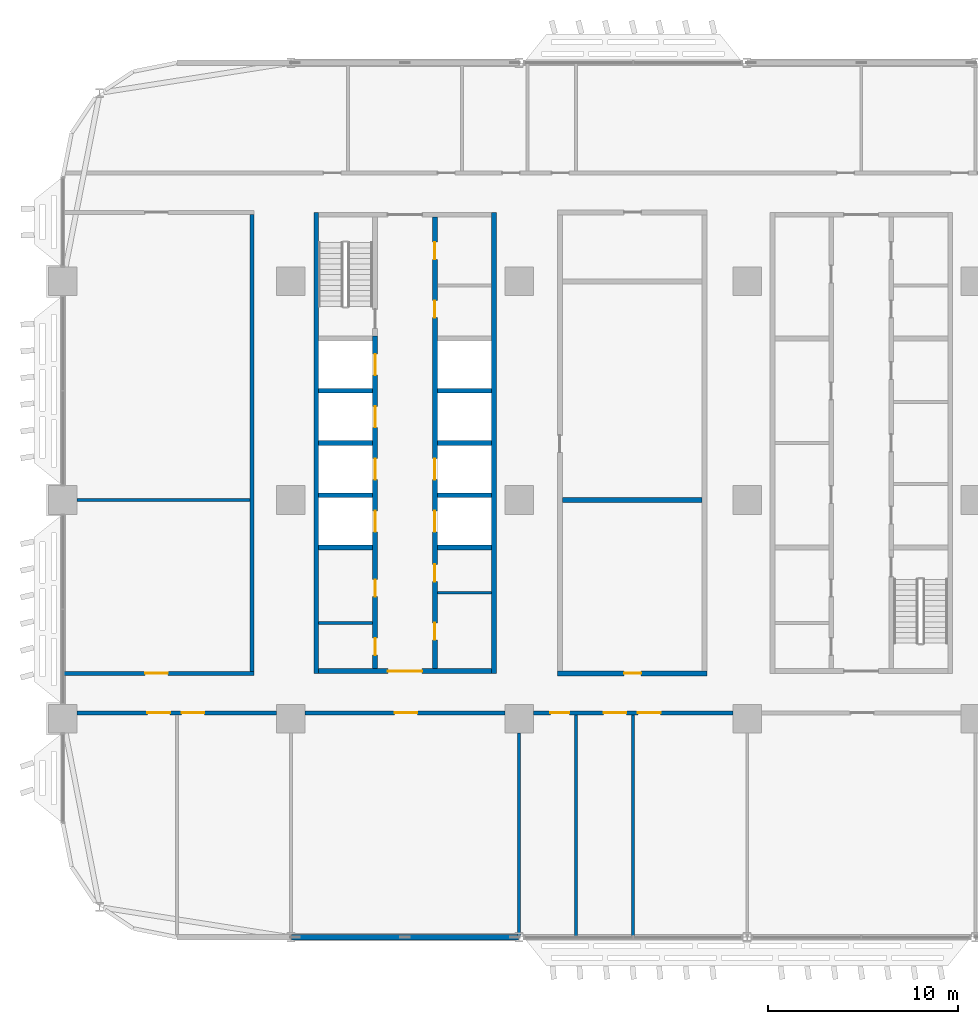
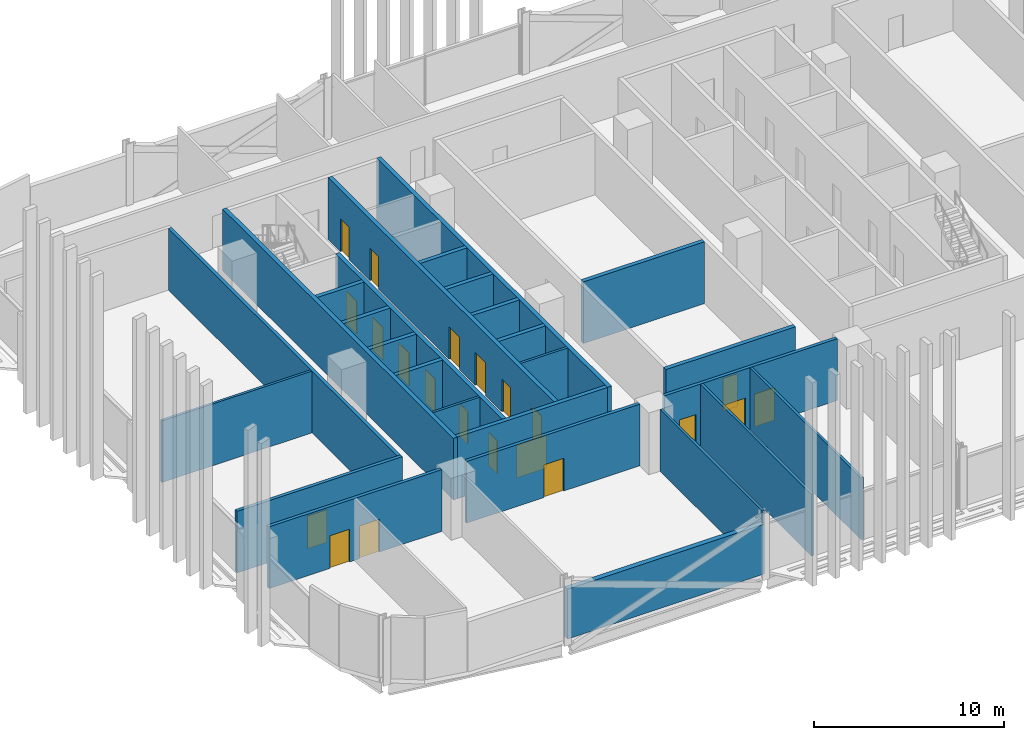
# One storey, part 12 of 29: 27 walls, 21 doors, 21 openings.
"""IFC4 building model written with IfcOpenShell, lengths in metres."""

from ifc_helpers import new_model, si_unit, direction, frame, frame_2d, origin, place, context, subcontext, project, spatial, rectangle, extrude, material, layer, layer_set, type_object, element, fill, save


model = new_model("IFC4")

# Units and contexts
model_context = context("Model", 3, precision=1e-05, world=origin(), true_north=direction((0.0, 1.0)))
body_context = subcontext(model_context, "Body", "Model", "MODEL_VIEW")
ifc_project = project(units=[si_unit("LENGTHUNIT", "METRE"), si_unit("AREAUNIT", "SQUARE_METRE"), si_unit("VOLUMEUNIT", "CUBIC_METRE"), si_unit("PLANEANGLEUNIT", "RADIAN"), si_unit("MASSUNIT", "GRAM", prefix="KILO")], contexts=[model_context])

# Site, building, storey
site_placement = place(None, origin())
site = spatial("IfcSite", under=ifc_project, at=site_placement, CompositionType="ELEMENT")
building_placement = place(site_placement, origin())
building = spatial("IfcBuilding", under=site, at=building_placement, Name="Mahtab Terrace Research Tower", CompositionType="ELEMENT")
storey_placement = place(building_placement, frame((0.0, 0.0, 63.199951171875)))
storey = spatial("IfcBuildingStorey", under=building, at=storey_placement, Name="L14", CompositionType="ELEMENT", Elevation=63.199951171875)

# Walls
ifc_material_1 = material(Name="Gypsum board partition")
ifc_layer_1 = layer(ifc_material_1, 0.14990234375)
ifc_layer_set_1 = layer_set([ifc_layer_1], Name="Core partition 150")
wall_type_1 = type_object("IfcWallType", Name="Core partition 150", PredefinedType="PARTITIONING", material=ifc_layer_set_1)
for number, where, z_axis, x_axis, name in (
    (1, (-28.550048828125, -6.47509765625, 0.0), (0.0, 0.0, 1.0), (1.0, 0.0, 0.0), "Core wall A pWS-948"),
    (2, (-22.300048828125, -4.875, 0.0), (0.0, 0.0, 1.0), (1.0, 0.0, 0.0), "Core wall A pES-788"),
):
    element("IfcWall", number, at=place(storey_placement, frame(where, z_axis=z_axis, x_axis=x_axis)), inside=storey, type_object=wall_type_1, Name=name, PredefinedType="PARTITIONING", context=body_context, shape_type="SweptSolid", body=[
        extrude(rectangle(XDim=2.85009765625, YDim=0.14990234375, at=frame_2d((1.425048828125, 0.0))), origin(), (0.0, 0.0, 1.0), 3.9599609375),
    ])
ifc_material_2 = material(Name="Concrete C70/85", Category="concrete")
ifc_layer_2 = layer(ifc_material_2, 0.25)
ifc_layer_set_2 = layer_set([ifc_layer_2], Name="Core wall 250")
wall_type_2 = type_object("IfcWallType", Name="Core wall 250", PredefinedType="SOLIDWALL", material=ifc_layer_set_2)
for number, where, z_axis, x_axis, name in (
    (3, (-28.675048828125, 15.125, 0.0), (0.0, 0.0, 1.0), (0.0, -1.0, 0.0), "Core wall A outerW"),
    (4, (-19.324951171875, -9.125, 0.0), (0.0, 0.0, 1.0), (0.0, 1.0, 0.0), "Core wall A outerE"),
):
    element("IfcWall", number, at=place(storey_placement, frame(where, z_axis=z_axis, x_axis=x_axis)), inside=storey, type_object=wall_type_2, Name=name, PredefinedType="SOLIDWALL", context=body_context, shape_type="SweptSolid", body=[
        extrude(rectangle(XDim=24.25, YDim=0.25, at=frame_2d((12.125, 0.0))), origin(), (0.0, 0.0, 1.0), 3.9599609375),
    ])

# Wall, opening, door
wall_1_placement = place(storey_placement, frame((-19.449951171875, -9.0, 0.0), z_axis=(0.0, 0.0, 1.0), x_axis=(-1.0, 0.0, 0.0)))
wall_1 = element("IfcWall", 5, at=wall_1_placement, inside=storey, type_object=wall_type_2, Name="Core wall A endS", PredefinedType="SOLIDWALL", context=body_context, shape_type="SweptSolid", body=[
    extrude(rectangle(XDim=9.10009765625, YDim=0.25, at=frame_2d((4.550048828125, 0.0))), origin(), (0.0, 0.0, 1.0), 3.9599609375),
])
opening_1_placement = place(wall_1_placement, frame((3.64990234375, 0.0, 0.0)))
opening_1 = element("IfcOpeningElement", 6, at=opening_1_placement, cuts=wall_1, Name="Opening A-S1", PredefinedType="OPENING", context=body_context, shape_type="SweptSolid", body=[
    extrude(rectangle(XDim=1.800048828125, YDim=2.10009765625, at=frame_2d((0.89990234375, 1.050048828125))), frame((0.0, 0.135009765625, 0.0), z_axis=(0.0, -1.0, 0.0), x_axis=(1.0, 0.0, 0.0)), (0.0, 0.0, 1.0), 0.27001953125),
])
ifc_material_3 = material(Name="Steel fire door", Category="steel")
door_type_1 = type_object("IfcDoorType", Name="Lobby double door 1800x2100 1 HR", OperationType="DOUBLE_DOOR_SINGLE_SWING", PredefinedType="DOOR", material=ifc_material_3)
door_1_placement = place(opening_1_placement, origin())
door_1 = element("IfcDoor", 7, at=door_1_placement, inside=storey, type_object=door_type_1, Name="Core entrance door A S", OperationType="DOUBLE_DOOR_SINGLE_SWING", OverallHeight=2.10009765625, OverallWidth=1.800048828125, PredefinedType="DOOR", context=body_context, shape_type="SweptSolid", body=[
    extrude(rectangle(XDim=1.800048828125, YDim=2.10009765625, at=frame_2d((0.89990234375, 1.050048828125))), frame((0.0, 0.02490234375, 0.0), z_axis=(0.0, -1.0, 0.0), x_axis=(1.0, 0.0, 0.0)), (0.0, 0.0, 1.0), 0.050048828125),
])
fill(opening_1, door_1)

# Wall, openings, doors
wall_2_placement = place(storey_placement, frame((-25.574951171875, -8.875, 0.0), z_axis=(0.0, 0.0, 1.0), x_axis=(0.0, 1.0, 0.0)))
wall_2 = element("IfcWall", 8, at=wall_2_placement, inside=storey, type_object=wall_type_2, Name="Core wall A innerWSL", PredefinedType="SOLIDWALL", context=body_context, shape_type="SweptSolid", body=[
    extrude(rectangle(XDim=17.5, YDim=0.25, at=frame_2d((8.75, 0.0))), origin(), (0.0, 0.0, 1.0), 3.9599609375),
])
opening_2_placement = place(wall_2_placement, frame((7.199951171875, 0.0, 0.0)))
opening_2 = element("IfcOpeningElement", 9, at=opening_2_placement, cuts=wall_2, Name="Opening LD01-L14", PredefinedType="OPENING", context=body_context, shape_type="SweptSolid", body=[
    extrude(rectangle(XDim=1.10009765625, YDim=2.10009765625, at=frame_2d((0.550048828125, 1.050048828125))), frame((0.0, 0.135009765625, 0.0), z_axis=(0.0, -1.0, 0.0), x_axis=(1.0, 0.0, 0.0)), (0.0, 0.0, 1.0), 0.27001953125),
])
opening_3_placement = place(wall_2_placement, frame((9.949951171875, 0.0, 0.0)))
opening_3 = element("IfcOpeningElement", 10, at=opening_3_placement, cuts=wall_2, Name="Opening LD02-L14", PredefinedType="OPENING", context=body_context, shape_type="SweptSolid", body=[
    extrude(rectangle(XDim=1.10009765625, YDim=2.10009765625, at=frame_2d((0.550048828125, 1.050048828125))), frame((0.0, 0.135009765625, 0.0), z_axis=(0.0, -1.0, 0.0), x_axis=(1.0, 0.0, 0.0)), (0.0, 0.0, 1.0), 0.27001953125),
])
opening_4_placement = place(wall_2_placement, frame((12.699951171875, 0.0, 0.0)))
opening_4 = element("IfcOpeningElement", 11, at=opening_4_placement, cuts=wall_2, Name="Opening LD03-L14", PredefinedType="OPENING", context=body_context, shape_type="SweptSolid", body=[
    extrude(rectangle(XDim=1.10009765625, YDim=2.10009765625, at=frame_2d((0.550048828125, 1.050048828125))), frame((0.0, 0.135009765625, 0.0), z_axis=(0.0, -1.0, 0.0), x_axis=(1.0, 0.0, 0.0)), (0.0, 0.0, 1.0), 0.27001953125),
])
opening_5_placement = place(wall_2_placement, frame((15.449951171875, 0.0, 0.0)))
opening_5 = element("IfcOpeningElement", 12, at=opening_5_placement, cuts=wall_2, Name="Opening LD04-L14", PredefinedType="OPENING", context=body_context, shape_type="SweptSolid", body=[
    extrude(rectangle(XDim=1.10009765625, YDim=2.10009765625, at=frame_2d((0.550048828125, 1.050048828125))), frame((0.0, 0.135009765625, 0.0), z_axis=(0.0, -1.0, 0.0), x_axis=(1.0, 0.0, 0.0)), (0.0, 0.0, 1.0), 0.27001953125),
])
opening_6_placement = place(wall_2_placement, frame((0.71240234375, 0.0, 0.0)))
opening_6 = element("IfcOpeningElement", 13, at=opening_6_placement, cuts=wall_2, Name="Opening A-R1", PredefinedType="OPENING", context=body_context, shape_type="SweptSolid", body=[
    extrude(rectangle(XDim=0.89990234375, YDim=2.10009765625, at=frame_2d((0.449951171875, 1.050048828125))), frame((0.0, 0.135009765625, 0.0), z_axis=(0.0, -1.0, 0.0), x_axis=(1.0, 0.0, 0.0)), (0.0, 0.0, 1.0), 0.27001953125),
])
opening_7_placement = place(wall_2_placement, frame((3.78759765625, 0.0, 0.0)))
opening_7 = element("IfcOpeningElement", 14, at=opening_7_placement, cuts=wall_2, Name="Opening A-R2", PredefinedType="OPENING", context=body_context, shape_type="SweptSolid", body=[
    extrude(rectangle(XDim=0.89990234375, YDim=2.10009765625, at=frame_2d((0.449951171875, 1.050048828125))), frame((0.0, 0.135009765625, 0.0), z_axis=(0.0, -1.0, 0.0), x_axis=(1.0, 0.0, 0.0)), (0.0, 0.0, 1.0), 0.27001953125),
])
ifc_material_4 = material(Name="Stainless steel AISI 304", Category="steel")
door_type_2 = type_object("IfcDoorType", Name="Landing door 1100x2100", OperationType="DOUBLE_DOOR_SLIDING", PredefinedType="DOOR", material=ifc_material_4)
door_2_placement = place(opening_2_placement, origin())
door_2 = element("IfcDoor", 15, at=door_2_placement, inside=storey, type_object=door_type_2, Name="Landing door LR1 L14", OperationType="DOUBLE_DOOR_SLIDING", OverallHeight=2.10009765625, OverallWidth=1.10009765625, PredefinedType="DOOR", context=body_context, shape_type="SweptSolid", body=[
    extrude(rectangle(XDim=1.10009765625, YDim=2.10009765625, at=frame_2d((0.550048828125, 1.050048828125))), frame((0.0, 0.02490234375, 0.0), z_axis=(0.0, -1.0, 0.0), x_axis=(1.0, 0.0, 0.0)), (0.0, 0.0, 1.0), 0.050048828125),
])
fill(opening_2, door_2)
door_3_placement = place(opening_3_placement, origin())
door_3 = element("IfcDoor", 16, at=door_3_placement, inside=storey, type_object=door_type_2, Name="Landing door LR2 L14", OperationType="DOUBLE_DOOR_SLIDING", OverallHeight=2.10009765625, OverallWidth=1.10009765625, PredefinedType="DOOR", context=body_context, shape_type="SweptSolid", body=[
    extrude(rectangle(XDim=1.10009765625, YDim=2.10009765625, at=frame_2d((0.550048828125, 1.050048828125))), frame((0.0, 0.02490234375, 0.0), z_axis=(0.0, -1.0, 0.0), x_axis=(1.0, 0.0, 0.0)), (0.0, 0.0, 1.0), 0.050048828125),
])
fill(opening_3, door_3)
door_4_placement = place(opening_4_placement, origin())
door_4 = element("IfcDoor", 17, at=door_4_placement, inside=storey, type_object=door_type_2, Name="Landing door LR3 L14", OperationType="DOUBLE_DOOR_SLIDING", OverallHeight=2.10009765625, OverallWidth=1.10009765625, PredefinedType="DOOR", context=body_context, shape_type="SweptSolid", body=[
    extrude(rectangle(XDim=1.10009765625, YDim=2.10009765625, at=frame_2d((0.550048828125, 1.050048828125))), frame((0.0, 0.02490234375, 0.0), z_axis=(0.0, -1.0, 0.0), x_axis=(1.0, 0.0, 0.0)), (0.0, 0.0, 1.0), 0.050048828125),
])
fill(opening_4, door_4)
door_5_placement = place(opening_5_placement, origin())
door_5 = element("IfcDoor", 18, at=door_5_placement, inside=storey, type_object=door_type_2, Name="Landing door LR4 L14", OperationType="DOUBLE_DOOR_SLIDING", OverallHeight=2.10009765625, OverallWidth=1.10009765625, PredefinedType="DOOR", context=body_context, shape_type="SweptSolid", body=[
    extrude(rectangle(XDim=1.10009765625, YDim=2.10009765625, at=frame_2d((0.550048828125, 1.050048828125))), frame((0.0, 0.02490234375, 0.0), z_axis=(0.0, -1.0, 0.0), x_axis=(1.0, 0.0, 0.0)), (0.0, 0.0, 1.0), 0.050048828125),
])
fill(opening_5, door_5)
door_type_3 = type_object("IfcDoorType", Name="Room door 900x2100 1 HR", OperationType="NOTDEFINED", PredefinedType="DOOR", material=ifc_material_3)
door_6_placement = place(opening_6_placement, origin())
door_6 = element("IfcDoor", 19, at=door_6_placement, inside=storey, type_object=door_type_3, Name="Accessible WC door", OperationType="SINGLE_SWING_LEFT", OverallHeight=2.10009765625, OverallWidth=0.89990234375, PredefinedType="DOOR", context=body_context, shape_type="SweptSolid", body=[
    extrude(rectangle(XDim=0.89990234375, YDim=2.10009765625, at=frame_2d((0.449951171875, 1.050048828125))), frame((0.0, 0.02490234375, 0.0), z_axis=(0.0, -1.0, 0.0), x_axis=(1.0, 0.0, 0.0)), (0.0, 0.0, 1.0), 0.050048828125),
])
fill(opening_6, door_6)
door_7_placement = place(opening_7_placement, origin())
door_7 = element("IfcDoor", 20, at=door_7_placement, inside=storey, type_object=door_type_3, Name="WC block door", OperationType="SINGLE_SWING_RIGHT", OverallHeight=2.10009765625, OverallWidth=0.89990234375, PredefinedType="DOOR", context=body_context, shape_type="SweptSolid", body=[
    extrude(rectangle(XDim=0.89990234375, YDim=2.10009765625, at=frame_2d((0.449951171875, 1.050048828125))), frame((0.0, 0.02490234375, 0.0), z_axis=(0.0, -1.0, 0.0), x_axis=(1.0, 0.0, 0.0)), (0.0, 0.0, 1.0), 0.050048828125),
])
fill(opening_7, door_7)

wall_3_placement = place(storey_placement, frame((-22.425048828125, 14.875, 0.0), z_axis=(0.0, 0.0, 1.0), x_axis=(0.0, -1.0, 0.0)))
wall_3 = element("IfcWall", 21, at=wall_3_placement, inside=storey, type_object=wall_type_2, Name="Core wall A innerESLN", PredefinedType="SOLIDWALL", context=body_context, shape_type="SweptSolid", body=[
    extrude(rectangle(XDim=23.75, YDim=0.25, at=frame_2d((11.875, 0.0))), origin(), (0.0, 0.0, 1.0), 3.9599609375),
])
opening_8_placement = place(wall_3_placement, frame((15.449951171875, 0.0, 0.0)))
opening_8 = element("IfcOpeningElement", 22, at=opening_8_placement, cuts=wall_3, Name="Opening LD05-L14", PredefinedType="OPENING", context=body_context, shape_type="SweptSolid", body=[
    extrude(rectangle(XDim=1.10009765625, YDim=2.10009765625, at=frame_2d((0.550048828125, 1.050048828125))), frame((0.0, 0.135009765625, 0.0), z_axis=(0.0, -1.0, 0.0), x_axis=(1.0, 0.0, 0.0)), (0.0, 0.0, 1.0), 0.27001953125),
])
opening_9_placement = place(wall_3_placement, frame((12.699951171875, 0.0, 0.0)))
opening_9 = element("IfcOpeningElement", 23, at=opening_9_placement, cuts=wall_3, Name="Opening LD06-L14", PredefinedType="OPENING", context=body_context, shape_type="SweptSolid", body=[
    extrude(rectangle(XDim=1.10009765625, YDim=2.10009765625, at=frame_2d((0.550048828125, 1.050048828125))), frame((0.0, 0.135009765625, 0.0), z_axis=(0.0, -1.0, 0.0), x_axis=(1.0, 0.0, 0.0)), (0.0, 0.0, 1.0), 0.27001953125),
])
opening_10_placement = place(wall_3_placement, frame((21.33740234375, 0.0, 0.0)))
opening_10 = element("IfcOpeningElement", 24, at=opening_10_placement, cuts=wall_3, Name="Opening A-R3", PredefinedType="OPENING", context=body_context, shape_type="SweptSolid", body=[
    extrude(rectangle(XDim=0.89990234375, YDim=2.10009765625, at=frame_2d((0.449951171875, 1.050048828125))), frame((0.0, 0.135009765625, 0.0), z_axis=(0.0, -1.0, 0.0), x_axis=(1.0, 0.0, 0.0)), (0.0, 0.0, 1.0), 0.27001953125),
])
opening_11_placement = place(wall_3_placement, frame((18.262451171875, 0.0, 0.0)))
opening_11 = element("IfcOpeningElement", 25, at=opening_11_placement, cuts=wall_3, Name="Opening A-R4", PredefinedType="OPENING", context=body_context, shape_type="SweptSolid", body=[
    extrude(rectangle(XDim=0.89990234375, YDim=2.10009765625, at=frame_2d((0.449951171875, 1.050048828125))), frame((0.0, 0.135009765625, 0.0), z_axis=(0.0, -1.0, 0.0), x_axis=(1.0, 0.0, 0.0)), (0.0, 0.0, 1.0), 0.27001953125),
])
opening_12_placement = place(wall_3_placement, frame((4.387451171875, 0.0, 0.0)))
opening_12 = element("IfcOpeningElement", 26, at=opening_12_placement, cuts=wall_3, Name="Opening A-R5", PredefinedType="OPENING", context=body_context, shape_type="SweptSolid", body=[
    extrude(rectangle(XDim=0.89990234375, YDim=2.10009765625, at=frame_2d((0.449951171875, 1.050048828125))), frame((0.0, 0.135009765625, 0.0), z_axis=(0.0, -1.0, 0.0), x_axis=(1.0, 0.0, 0.0)), (0.0, 0.0, 1.0), 0.27001953125),
])
opening_13_placement = place(wall_3_placement, frame((1.3125, 0.0, 0.0)))
opening_13 = element("IfcOpeningElement", 27, at=opening_13_placement, cuts=wall_3, Name="Opening A-R6", PredefinedType="OPENING", context=body_context, shape_type="SweptSolid", body=[
    extrude(rectangle(XDim=0.89990234375, YDim=2.10009765625, at=frame_2d((0.449951171875, 1.050048828125))), frame((0.0, 0.135009765625, 0.0), z_axis=(0.0, -1.0, 0.0), x_axis=(1.0, 0.0, 0.0)), (0.0, 0.0, 1.0), 0.27001953125),
])
door_8_placement = place(opening_8_placement, origin())
door_8 = element("IfcDoor", 28, at=door_8_placement, inside=storey, type_object=door_type_2, Name="Landing door LR5 L14", OperationType="DOUBLE_DOOR_SLIDING", OverallHeight=2.10009765625, OverallWidth=1.10009765625, PredefinedType="DOOR", context=body_context, shape_type="SweptSolid", body=[
    extrude(rectangle(XDim=1.10009765625, YDim=2.10009765625, at=frame_2d((0.550048828125, 1.050048828125))), frame((0.0, 0.02490234375, 0.0), z_axis=(0.0, -1.0, 0.0), x_axis=(1.0, 0.0, 0.0)), (0.0, 0.0, 1.0), 0.050048828125),
])
fill(opening_8, door_8)
door_9_placement = place(opening_9_placement, origin())
door_9 = element("IfcDoor", 29, at=door_9_placement, inside=storey, type_object=door_type_2, Name="Landing door LR6 L14", OperationType="DOUBLE_DOOR_SLIDING", OverallHeight=2.10009765625, OverallWidth=1.10009765625, PredefinedType="DOOR", context=body_context, shape_type="SweptSolid", body=[
    extrude(rectangle(XDim=1.10009765625, YDim=2.10009765625, at=frame_2d((0.550048828125, 1.050048828125))), frame((0.0, 0.02490234375, 0.0), z_axis=(0.0, -1.0, 0.0), x_axis=(1.0, 0.0, 0.0)), (0.0, 0.0, 1.0), 0.050048828125),
])
fill(opening_9, door_9)
door_10_placement = place(opening_10_placement, origin())
door_10 = element("IfcDoor", 30, at=door_10_placement, inside=storey, type_object=door_type_3, Name="IT equipment room door", OperationType="SINGLE_SWING_LEFT", OverallHeight=2.10009765625, OverallWidth=0.89990234375, PredefinedType="DOOR", context=body_context, shape_type="SweptSolid", body=[
    extrude(rectangle(XDim=0.89990234375, YDim=2.10009765625, at=frame_2d((0.449951171875, 1.050048828125))), frame((0.0, 0.02490234375, 0.0), z_axis=(0.0, -1.0, 0.0), x_axis=(1.0, 0.0, 0.0)), (0.0, 0.0, 1.0), 0.050048828125),
])
fill(opening_10, door_10)
door_11_placement = place(opening_11_placement, origin())
door_11 = element("IfcDoor", 31, at=door_11_placement, inside=storey, type_object=door_type_3, Name="Electrical riser room door", OperationType="SINGLE_SWING_RIGHT", OverallHeight=2.10009765625, OverallWidth=0.89990234375, PredefinedType="DOOR", context=body_context, shape_type="SweptSolid", body=[
    extrude(rectangle(XDim=0.89990234375, YDim=2.10009765625, at=frame_2d((0.449951171875, 1.050048828125))), frame((0.0, 0.02490234375, 0.0), z_axis=(0.0, -1.0, 0.0), x_axis=(1.0, 0.0, 0.0)), (0.0, 0.0, 1.0), 0.050048828125),
])
fill(opening_11, door_11)
door_12_placement = place(opening_12_placement, origin())
door_12 = element("IfcDoor", 32, at=door_12_placement, inside=storey, type_object=door_type_3, Name="Mechanical riser room door", OperationType="SINGLE_SWING_LEFT", OverallHeight=2.10009765625, OverallWidth=0.89990234375, PredefinedType="DOOR", context=body_context, shape_type="SweptSolid", body=[
    extrude(rectangle(XDim=0.89990234375, YDim=2.10009765625, at=frame_2d((0.449951171875, 1.050048828125))), frame((0.0, 0.02490234375, 0.0), z_axis=(0.0, -1.0, 0.0), x_axis=(1.0, 0.0, 0.0)), (0.0, 0.0, 1.0), 0.050048828125),
])
fill(opening_12, door_12)
door_13_placement = place(opening_13_placement, origin())
door_13 = element("IfcDoor", 33, at=door_13_placement, inside=storey, type_object=door_type_3, Name="Chemical store door", OperationType="SINGLE_SWING_RIGHT", OverallHeight=2.10009765625, OverallWidth=0.89990234375, PredefinedType="DOOR", context=body_context, shape_type="SweptSolid", body=[
    extrude(rectangle(XDim=0.89990234375, YDim=2.10009765625, at=frame_2d((0.449951171875, 1.050048828125))), frame((0.0, 0.02490234375, 0.0), z_axis=(0.0, -1.0, 0.0), x_axis=(1.0, 0.0, 0.0)), (0.0, 0.0, 1.0), 0.050048828125),
])
fill(opening_13, door_13)

# Walls
for number, where, z_axis, x_axis, name in (
    (34, (-28.550048828125, -2.5, 0.0), (0.0, 0.0, 1.0), (1.0, 0.0, 0.0), "Core wall A divW0"),
    (35, (-28.550048828125, 0.25, 0.0), (0.0, 0.0, 1.0), (1.0, 0.0, 0.0), "Core wall A divW1"),
    (36, (-28.550048828125, 3.0, 0.0), (0.0, 0.0, 1.0), (1.0, 0.0, 0.0), "Core wall A divW2"),
    (37, (-28.550048828125, 5.75, 0.0), (0.0, 0.0, 1.0), (1.0, 0.0, 0.0), "Core wall A divW3"),
    (38, (-22.300048828125, -2.5, 0.0), (0.0, 0.0, 1.0), (1.0, 0.0, 0.0), "Core wall A divE0"),
    (39, (-22.300048828125, 0.25, 0.0), (0.0, 0.0, 1.0), (1.0, 0.0, 0.0), "Core wall A divE1"),
    (40, (-22.300048828125, 3.0, 0.0), (0.0, 0.0, 1.0), (1.0, 0.0, 0.0), "Core wall A divE2"),
    (41, (-22.300048828125, 5.75, 0.0), (0.0, 0.0, 1.0), (1.0, 0.0, 0.0), "Core wall A divE3"),
):
    element("IfcWall", number, at=place(storey_placement, frame(where, z_axis=z_axis, x_axis=x_axis)), inside=storey, type_object=wall_type_2, Name=name, PredefinedType="SOLIDWALL", context=body_context, shape_type="SweptSolid", body=[
        extrude(rectangle(XDim=2.85009765625, YDim=0.25, at=frame_2d((1.425048828125, 0.0))), origin(), (0.0, 0.0, 1.0), 3.9599609375),
    ])
ifc_material_5 = material(Name="Black aluminium cladding panel", Category="aluminium")
ifc_layer_3 = layer(ifc_material_5, 0.300048828125)
ifc_layer_set_3 = layer_set([ifc_layer_3], Name="Opaque facade wall 300")
wall_type_3 = type_object("IfcWallType", Name="Opaque facade wall 300", PredefinedType="NOTDEFINED", material=ifc_layer_set_3)
wall_4_placement = place(storey_placement, frame((-29.97607421875, -23.0, 0.0), z_axis=(0.0, 0.0, 1.0), x_axis=(1.0, 0.0, 0.0)))
element("IfcWall", 42, at=wall_4_placement, inside=storey, type_object=wall_type_3, Name="Opaque facade wall L14 S24", PredefinedType="NOTDEFINED", context=body_context, shape_type="SweptSolid", body=[
    extrude(rectangle(XDim=11.9521484375, YDim=0.300048828125, at=frame_2d((5.97607421875, 0.0))), origin(), (0.0, 0.0, 1.0), 3.203125),
])

# Wall, opening, door
ifc_material_6 = material(Name="Masonry control area wall", Category="masonry")
ifc_layer_4 = layer(ifc_material_6, 0.25)
ifc_layer_set_4 = layer_set([ifc_layer_4], Name="WALL CONTROL AREA 250")
wall_type_4 = type_object("IfcWallType", Name="WALL CONTROL AREA 250", PredefinedType="PARTITIONING", material=ifc_layer_set_4)
wall_5_placement = place(storey_placement, frame((-15.97509765625, -9.125, 0.0), z_axis=(0.0, 0.0, 1.0), x_axis=(1.0, 0.0, 0.0)))
wall_5 = element("IfcWall", 43, at=wall_5_placement, inside=storey, type_object=wall_type_4, Name="L14-W010", PredefinedType="PARTITIONING", context=body_context, shape_type="SweptSolid", body=[
    extrude(rectangle(XDim=7.85009765625, YDim=0.25, at=frame_2d((3.925048828125, 0.0))), origin(), (0.0, 0.0, 1.0), 3.9599609375),
])
opening_14_placement = place(wall_5_placement, frame((3.5, 0.0, 0.0)))
opening_14 = element("IfcOpeningElement", 44, at=opening_14_placement, cuts=wall_5, Name="Opening L14-117", PredefinedType="OPENING", context=body_context, shape_type="SweptSolid", body=[
    extrude(rectangle(XDim=0.89990234375, YDim=2.10009765625, at=frame_2d((0.449951171875, 1.050048828125))), frame((0.0, 0.135009765625, 0.0), z_axis=(0.0, -1.0, 0.0), x_axis=(1.0, 0.0, 0.0)), (0.0, 0.0, 1.0), 0.27001953125),
])
ifc_material_7 = material(Name="Timber door leaf in steel frame", Category="steel")
door_type_4 = type_object("IfcDoorType", Name="DOOR 0900X2100 FD120", OperationType="SINGLE_SWING_LEFT", PredefinedType="DOOR", material=ifc_material_7)
door_14_placement = place(opening_14_placement, origin())
door_14 = element("IfcDoor", 45, at=door_14_placement, inside=storey, type_object=door_type_4, Name="Door L14-117", OperationType="SINGLE_SWING_RIGHT", OverallHeight=2.10009765625, OverallWidth=0.89990234375, PredefinedType="DOOR", context=body_context, shape_type="SweptSolid", body=[
    extrude(rectangle(XDim=0.89990234375, YDim=2.10009765625, at=frame_2d((0.449951171875, 1.050048828125))), frame((0.0, 0.02490234375, 0.0), z_axis=(0.0, -1.0, 0.0), x_axis=(1.0, 0.0, 0.0)), (0.0, 0.0, 1.0), 0.050048828125),
])
fill(opening_14, door_14)

# Wall
wall_6_placement = place(storey_placement, frame((-15.72509765625, 0.0, 0.0), z_axis=(0.0, 0.0, 1.0), x_axis=(1.0, 0.0, 0.0)))
element("IfcWall", 46, at=wall_6_placement, inside=storey, type_object=wall_type_4, Name="L14-W014", PredefinedType="PARTITIONING", context=body_context, shape_type="SweptSolid", body=[
    extrude(rectangle(XDim=7.35009765625, YDim=0.25, at=frame_2d((3.675048828125, 0.0))), origin(), (0.0, 0.0, 1.0), 3.9599609375),
])

# Wall, openings, doors
ifc_material_8 = material(Name="Gypsum board corridor wall on steel studs", Category="steel")
ifc_layer_5 = layer(ifc_material_8, 0.199951171875)
ifc_layer_set_5 = layer_set([ifc_layer_5], Name="WALL CORRIDOR 200")
wall_type_5 = type_object("IfcWallType", Name="WALL CORRIDOR 200", PredefinedType="PARTITIONING", material=ifc_layer_set_5)
wall_7_placement = place(storey_placement, frame((-41.25, -11.199951171875, 0.0), z_axis=(0.0, 0.0, 1.0), x_axis=(1.0, 0.0, 0.0)))
wall_7 = element("IfcWall", 47, at=wall_7_placement, inside=storey, type_object=wall_type_5, Name="L14-W001", PredefinedType="PARTITIONING", context=body_context, shape_type="SweptSolid", body=[
    extrude(rectangle(XDim=10.5, YDim=0.199951171875, at=frame_2d((5.25, 0.0))), origin(), (0.0, 0.0, 1.0), 3.9599609375),
])
opening_15_placement = place(wall_7_placement, frame((3.699951171875, 0.0, 0.0)))
opening_15 = element("IfcOpeningElement", 48, at=opening_15_placement, cuts=wall_7, Name="Opening L14-101", PredefinedType="OPENING", context=body_context, shape_type="SweptSolid", body=[
    extrude(rectangle(XDim=1.199951171875, YDim=2.10009765625, at=frame_2d((0.60009765625, 1.050048828125))), frame((0.0, 0.10986328125, 0.0), z_axis=(0.0, -1.0, 0.0), x_axis=(1.0, 0.0, 0.0)), (0.0, 0.0, 1.0), 0.219970703125),
])
opening_16_placement = place(wall_7_placement, frame((5.5, 0.0, 0.0)))
opening_16 = element("IfcOpeningElement", 49, at=opening_16_placement, cuts=wall_7, Name="Opening L14-102", PredefinedType="OPENING", context=body_context, shape_type="SweptSolid", body=[
    extrude(rectangle(XDim=1.199951171875, YDim=2.10009765625, at=frame_2d((0.60009765625, 1.050048828125))), frame((0.0, 0.10986328125, 0.0), z_axis=(0.0, -1.0, 0.0), x_axis=(1.0, 0.0, 0.0)), (0.0, 0.0, 1.0), 0.219970703125),
])
door_type_5 = type_object("IfcDoorType", Name="DOOR 1200X2100 FD30S", OperationType="SINGLE_SWING_LEFT", PredefinedType="DOOR", material=ifc_material_7)
door_15_placement = place(opening_15_placement, origin())
door_15 = element("IfcDoor", 50, at=door_15_placement, inside=storey, type_object=door_type_5, Name="Door L14-101", OperationType="SINGLE_SWING_RIGHT", OverallHeight=2.10009765625, OverallWidth=1.199951171875, PredefinedType="DOOR", context=body_context, shape_type="SweptSolid", body=[
    extrude(rectangle(XDim=1.199951171875, YDim=2.10009765625, at=frame_2d((0.60009765625, 1.050048828125))), frame((0.0, 0.02490234375, 0.0), z_axis=(0.0, -1.0, 0.0), x_axis=(1.0, 0.0, 0.0)), (0.0, 0.0, 1.0), 0.050048828125),
])
fill(opening_15, door_15)
door_16_placement = place(opening_16_placement, origin())
door_16 = element("IfcDoor", 51, at=door_16_placement, inside=storey, type_object=door_type_5, Name="Door L14-102", OperationType="SINGLE_SWING_LEFT", OverallHeight=2.10009765625, OverallWidth=1.199951171875, PredefinedType="DOOR", context=body_context, shape_type="SweptSolid", body=[
    extrude(rectangle(XDim=1.199951171875, YDim=2.10009765625, at=frame_2d((0.60009765625, 1.050048828125))), frame((0.0, 0.02490234375, 0.0), z_axis=(0.0, -1.0, 0.0), x_axis=(1.0, 0.0, 0.0)), (0.0, 0.0, 1.0), 0.050048828125),
])
fill(opening_16, door_16)

# Wall, opening, door
wall_8_placement = place(storey_placement, frame((-29.25, -11.199951171875, 0.0), z_axis=(0.0, 0.0, 1.0), x_axis=(1.0, 0.0, 0.0)))
wall_8 = element("IfcWall", 52, at=wall_8_placement, inside=storey, type_object=wall_type_5, Name="L14-W002", PredefinedType="PARTITIONING", context=body_context, shape_type="SweptSolid", body=[
    extrude(rectangle(XDim=10.5, YDim=0.199951171875, at=frame_2d((5.25, 0.0))), origin(), (0.0, 0.0, 1.0), 3.9599609375),
])
opening_17_placement = place(wall_8_placement, frame((4.699951171875, 0.0, 0.0)))
opening_17 = element("IfcOpeningElement", 53, at=opening_17_placement, cuts=wall_8, Name="Opening L14-103", PredefinedType="OPENING", context=body_context, shape_type="SweptSolid", body=[
    extrude(rectangle(XDim=1.199951171875, YDim=2.10009765625, at=frame_2d((0.60009765625, 1.050048828125))), frame((0.0, 0.10986328125, 0.0), z_axis=(0.0, -1.0, 0.0), x_axis=(1.0, 0.0, 0.0)), (0.0, 0.0, 1.0), 0.219970703125),
])
door_17_placement = place(opening_17_placement, origin())
door_17 = element("IfcDoor", 54, at=door_17_placement, inside=storey, type_object=door_type_5, Name="Door L14-103", OperationType="SINGLE_SWING_LEFT", OverallHeight=2.10009765625, OverallWidth=1.199951171875, PredefinedType="DOOR", context=body_context, shape_type="SweptSolid", body=[
    extrude(rectangle(XDim=1.199951171875, YDim=2.10009765625, at=frame_2d((0.60009765625, 1.050048828125))), frame((0.0, 0.02490234375, 0.0), z_axis=(0.0, -1.0, 0.0), x_axis=(1.0, 0.0, 0.0)), (0.0, 0.0, 1.0), 0.050048828125),
])
fill(opening_17, door_17)

# Wall, openings, doors
wall_9_placement = place(storey_placement, frame((-17.25, -11.199951171875, 0.0), z_axis=(0.0, 0.0, 1.0), x_axis=(1.0, 0.0, 0.0)))
wall_9 = element("IfcWall", 55, at=wall_9_placement, inside=storey, type_object=wall_type_5, Name="L14-W003", PredefinedType="PARTITIONING", context=body_context, shape_type="SweptSolid", body=[
    extrude(rectangle(XDim=10.5, YDim=0.199951171875, at=frame_2d((5.25, 0.0))), origin(), (0.0, 0.0, 1.0), 3.9599609375),
])
opening_18_placement = place(wall_9_placement, frame((0.89990234375, 0.0, 0.0)))
opening_18 = element("IfcOpeningElement", 56, at=opening_18_placement, cuts=wall_9, Name="Opening L14-104", PredefinedType="OPENING", context=body_context, shape_type="SweptSolid", body=[
    extrude(rectangle(XDim=1.0, YDim=2.10009765625, at=frame_2d((0.5, 1.050048828125))), frame((0.0, 0.10986328125, 0.0), z_axis=(0.0, -1.0, 0.0), x_axis=(1.0, 0.0, 0.0)), (0.0, 0.0, 1.0), 0.219970703125),
])
opening_19_placement = place(wall_9_placement, frame((3.699951171875, 0.0, 0.0)))
opening_19 = element("IfcOpeningElement", 57, at=opening_19_placement, cuts=wall_9, Name="Opening L14-105", PredefinedType="OPENING", context=body_context, shape_type="SweptSolid", body=[
    extrude(rectangle(XDim=1.199951171875, YDim=2.10009765625, at=frame_2d((0.60009765625, 1.050048828125))), frame((0.0, 0.10986328125, 0.0), z_axis=(0.0, -1.0, 0.0), x_axis=(1.0, 0.0, 0.0)), (0.0, 0.0, 1.0), 0.219970703125),
])
opening_20_placement = place(wall_9_placement, frame((5.5, 0.0, 0.0)))
opening_20 = element("IfcOpeningElement", 58, at=opening_20_placement, cuts=wall_9, Name="Opening L14-106", PredefinedType="OPENING", context=body_context, shape_type="SweptSolid", body=[
    extrude(rectangle(XDim=1.199951171875, YDim=2.10009765625, at=frame_2d((0.60009765625, 1.050048828125))), frame((0.0, 0.10986328125, 0.0), z_axis=(0.0, -1.0, 0.0), x_axis=(1.0, 0.0, 0.0)), (0.0, 0.0, 1.0), 0.219970703125),
])
door_type_6 = type_object("IfcDoorType", Name="DOOR 1000X2100 FD30S", OperationType="SINGLE_SWING_LEFT", PredefinedType="DOOR", material=ifc_material_7)
door_18_placement = place(opening_18_placement, origin())
door_18 = element("IfcDoor", 59, at=door_18_placement, inside=storey, type_object=door_type_6, Name="Door L14-104", OperationType="SINGLE_SWING_RIGHT", OverallHeight=2.10009765625, OverallWidth=1.0, PredefinedType="DOOR", context=body_context, shape_type="SweptSolid", body=[
    extrude(rectangle(XDim=1.0, YDim=2.10009765625, at=frame_2d((0.5, 1.050048828125))), frame((0.0, 0.02490234375, 0.0), z_axis=(0.0, -1.0, 0.0), x_axis=(1.0, 0.0, 0.0)), (0.0, 0.0, 1.0), 0.050048828125),
])
fill(opening_18, door_18)
door_19_placement = place(opening_19_placement, origin())
door_19 = element("IfcDoor", 60, at=door_19_placement, inside=storey, type_object=door_type_5, Name="Door L14-105", OperationType="SINGLE_SWING_RIGHT", OverallHeight=2.10009765625, OverallWidth=1.199951171875, PredefinedType="DOOR", context=body_context, shape_type="SweptSolid", body=[
    extrude(rectangle(XDim=1.199951171875, YDim=2.10009765625, at=frame_2d((0.60009765625, 1.050048828125))), frame((0.0, 0.02490234375, 0.0), z_axis=(0.0, -1.0, 0.0), x_axis=(1.0, 0.0, 0.0)), (0.0, 0.0, 1.0), 0.050048828125),
])
fill(opening_19, door_19)
door_20_placement = place(opening_20_placement, origin())
door_20 = element("IfcDoor", 61, at=door_20_placement, inside=storey, type_object=door_type_5, Name="Door L14-106", OperationType="SINGLE_SWING_LEFT", OverallHeight=2.10009765625, OverallWidth=1.199951171875, PredefinedType="DOOR", context=body_context, shape_type="SweptSolid", body=[
    extrude(rectangle(XDim=1.199951171875, YDim=2.10009765625, at=frame_2d((0.60009765625, 1.050048828125))), frame((0.0, 0.02490234375, 0.0), z_axis=(0.0, -1.0, 0.0), x_axis=(1.0, 0.0, 0.0)), (0.0, 0.0, 1.0), 0.050048828125),
])
fill(opening_20, door_20)

# Wall, opening, door
wall_10_placement = place(storey_placement, frame((-41.97509765625, -9.125, 0.0), z_axis=(0.0, 0.0, 1.0), x_axis=(1.0, 0.0, 0.0)))
wall_10 = element("IfcWall", 62, at=wall_10_placement, inside=storey, type_object=wall_type_5, Name="L14-W009", PredefinedType="PARTITIONING", context=body_context, shape_type="SweptSolid", body=[
    extrude(rectangle(XDim=10.025146484375, YDim=0.199951171875, at=frame_2d((5.0126953125, 0.0))), origin(), (0.0, 0.0, 1.0), 3.9599609375),
])
opening_21_placement = place(wall_10_placement, frame((4.300048828125, 0.0, 0.0)))
opening_21 = element("IfcOpeningElement", 63, at=opening_21_placement, cuts=wall_10, Name="Opening L14-116", PredefinedType="OPENING", context=body_context, shape_type="SweptSolid", body=[
    extrude(rectangle(XDim=1.199951171875, YDim=2.10009765625, at=frame_2d((0.60009765625, 1.050048828125))), frame((0.0, 0.10986328125, 0.0), z_axis=(0.0, -1.0, 0.0), x_axis=(1.0, 0.0, 0.0)), (0.0, 0.0, 1.0), 0.219970703125),
])
door_21_placement = place(opening_21_placement, origin())
door_21 = element("IfcDoor", 64, at=door_21_placement, inside=storey, type_object=door_type_5, Name="Door L14-116", OperationType="SINGLE_SWING_LEFT", OverallHeight=2.10009765625, OverallWidth=1.199951171875, PredefinedType="DOOR", context=body_context, shape_type="SweptSolid", body=[
    extrude(rectangle(XDim=1.199951171875, YDim=2.10009765625, at=frame_2d((0.60009765625, 1.050048828125))), frame((0.0, 0.02490234375, 0.0), z_axis=(0.0, -1.0, 0.0), x_axis=(1.0, 0.0, 0.0)), (0.0, 0.0, 1.0), 0.050048828125),
])
fill(opening_21, door_21)

# Walls
wall_11_placement = place(storey_placement, frame((-32.050048828125, -9.02490234375, 0.0), z_axis=(0.0, 0.0, 1.0), x_axis=(0.0, 1.0, 0.0)))
element("IfcWall", 65, at=wall_11_placement, inside=storey, type_object=wall_type_5, Name="L14-W027", PredefinedType="PARTITIONING", context=body_context, shape_type="SweptSolid", body=[
    extrude(rectangle(XDim=24.0498046875, YDim=0.199951171875, at=frame_2d((12.02490234375, 0.0))), origin(), (0.0, 0.0, 1.0), 3.9599609375),
])
ifc_material_9 = material(Name="Gypsum board partition on steel studs", Category="steel")
ifc_layer_6 = layer(ifc_material_9, 0.14990234375)
ifc_layer_set_6 = layer_set([ifc_layer_6], Name="WALL PARTITION 150")
wall_type_6 = type_object("IfcWallType", Name="WALL PARTITION 150", PredefinedType="PARTITIONING", material=ifc_layer_set_6)
wall_12_placement = place(storey_placement, frame((-41.25, 0.0, 0.0), z_axis=(0.0, 0.0, 1.0), x_axis=(1.0, 0.0, 0.0)))
element("IfcWall", 66, at=wall_12_placement, inside=storey, type_object=wall_type_6, Name="L14-W013", PredefinedType="PARTITIONING", context=body_context, shape_type="SweptSolid", body=[
    extrude(rectangle(XDim=9.10009765625, YDim=0.14990234375, at=frame_2d((4.550048828125, 0.0))), origin(), (0.0, 0.0, 1.0), 3.9599609375),
])
wall_13_placement = place(storey_placement, frame((-18.0, -22.97509765625, 0.0), z_axis=(0.0, 0.0, 1.0), x_axis=(0.0, 1.0, 0.0)))
element("IfcWall", 67, at=wall_13_placement, inside=storey, type_object=wall_type_6, Name="L14-W031", PredefinedType="PARTITIONING", context=body_context, shape_type="SweptSolid", body=[
    extrude(rectangle(XDim=10.72509765625, YDim=0.14990234375, at=frame_2d((5.362548828125, 0.0))), origin(), (0.0, 0.0, 1.0), 3.9599609375),
])
for number, where, z_axis, x_axis, name in (
    (68, (-15.0, -22.97509765625, 0.0), (0.0, 0.0, 1.0), (0.0, 1.0, 0.0), "L14-W034"),
    (69, (-12.0, -22.97509765625, 0.0), (0.0, 0.0, 1.0), (0.0, 1.0, 0.0), "L14-W036"),
):
    element("IfcWall", number, at=place(storey_placement, frame(where, z_axis=z_axis, x_axis=x_axis)), inside=storey, type_object=wall_type_6, Name=name, PredefinedType="PARTITIONING", context=body_context, shape_type="SweptSolid", body=[
        extrude(rectangle(XDim=11.675048828125, YDim=0.14990234375, at=frame_2d((5.83740234375, 0.0))), origin(), (0.0, 0.0, 1.0), 3.9599609375),
    ])

save(model, "model.ifc")
